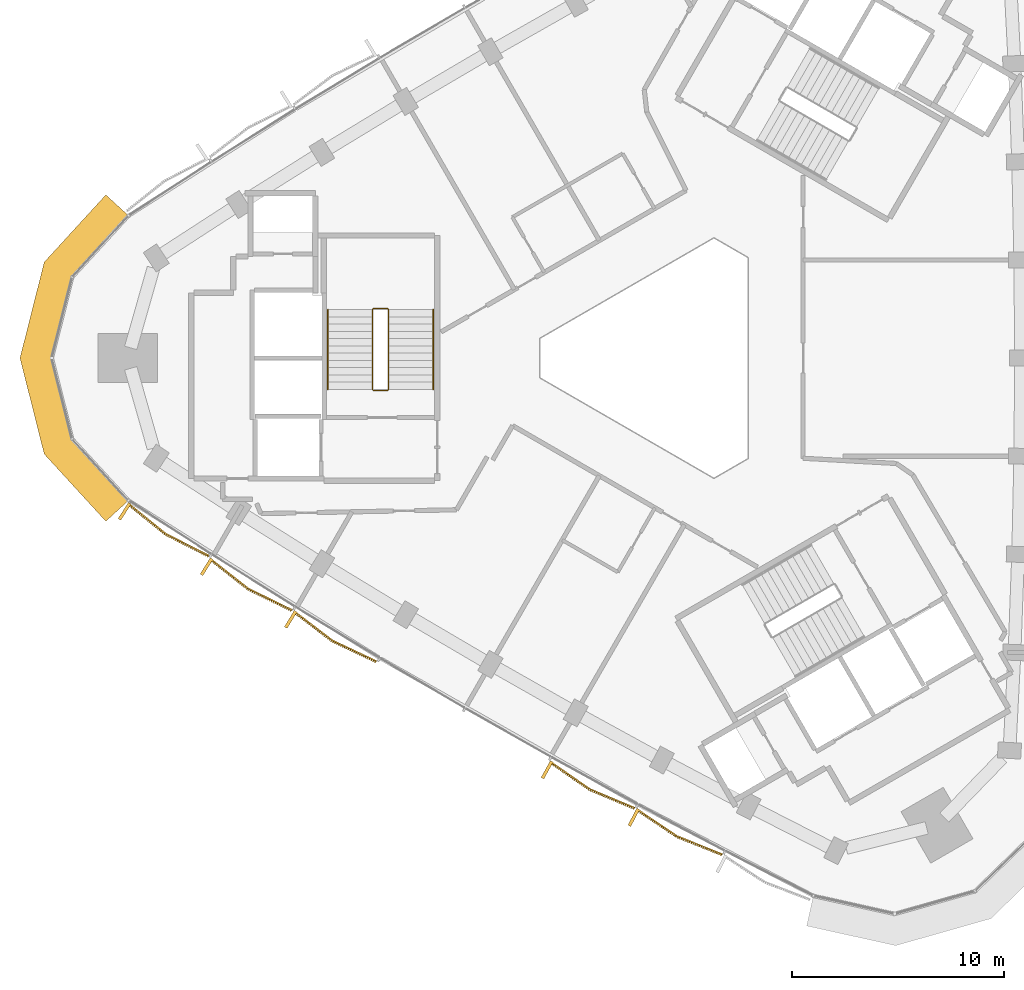
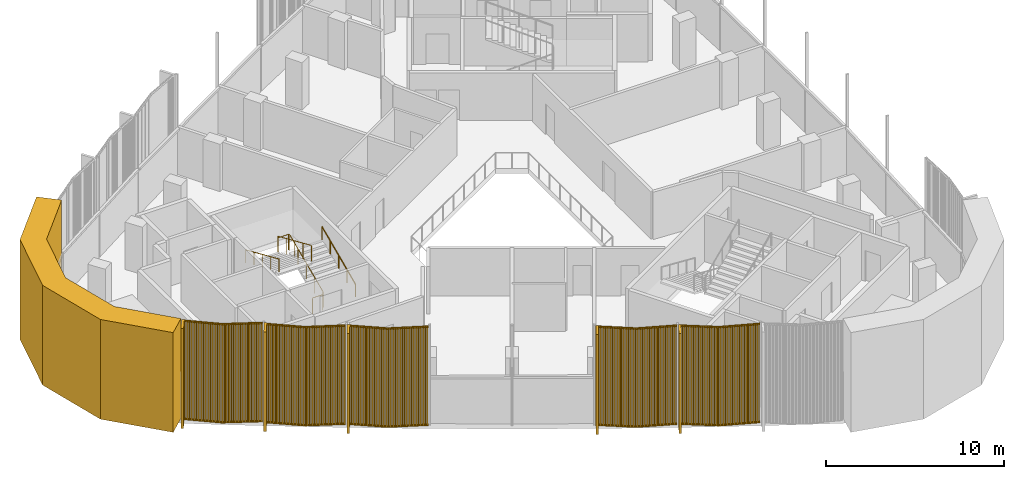
# One storey, part 12 of 16: 6 coverings, 3 railings.
"""IFC4 building model written with IfcOpenShell, lengths in metres."""

from ifc_helpers import new_model, si_unit, direction, frame, frame_2d, origin, origin_2d, place, context, subcontext, project, spatial, polyline, rectangle, circle, outline, extrude, source, transform, mapped, material, layer, layer_set, type_object, element, save


model = new_model("IFC4")

# Units and contexts
model_context = context("Model", 3, precision=1e-05, world=origin(), true_north=direction((0.0, 1.0)))
body_context = subcontext(model_context, "Body", "Model", "MODEL_VIEW")
ifc_project = project(units=[si_unit("LENGTHUNIT", "METRE"), si_unit("AREAUNIT", "SQUARE_METRE"), si_unit("VOLUMEUNIT", "CUBIC_METRE"), si_unit("PLANEANGLEUNIT", "RADIAN"), si_unit("MASSUNIT", "GRAM", prefix="KILO")], contexts=[model_context])

# Site, building, storey
site_placement = place(None, origin())
site = spatial("IfcSite", under=ifc_project, at=site_placement, CompositionType="ELEMENT")
building_placement = place(site_placement, origin())
building = spatial("IfcBuilding", under=site, at=building_placement, Name="Tamra Quay Hotel Tower", CompositionType="ELEMENT")
storey_placement = place(building_placement, frame((0.0, 0.0, 243.0)))
storey = spatial("IfcBuildingStorey", under=building, at=storey_placement, Name="L61", CompositionType="ELEMENT", Elevation=243.0)

# Covering
ifc_material_1 = material(Name="Precast concrete M60 terracotta-coloured", Category="masonry")
ifc_layer = layer(ifc_material_1, 1.449951171875)
ifc_layer_set = layer_set([ifc_layer], Name="CORNER PIER PANEL")
covering_type_1 = type_object("IfcCoveringType", Name="CORNER PIER PANEL", PredefinedType="CLADDING", material=ifc_layer_set)
covering_placement = place(storey_placement, origin())
element("IfcCovering", 1, at=covering_placement, inside=storey, type_object=covering_type_1, Name="Corner pier L61.north-west", PredefinedType="CLADDING", context=body_context, shape_type="SweptSolid", body=[
    extrude(outline(polyline([(-25.387939453125, 6.712646484375), (-26.457275390625, 7.69189453125), (-29.3603515625, 4.5224609375), (-30.501708984375, 0.0), (-29.3603515625, -4.5224609375), (-26.457275390625, -7.69189453125), (-25.387939453125, -6.712646484375), (-28.0439453125, -3.812744140625), (-29.006103515625, 0.0), (-28.0439453125, 3.812744140625), (-25.387939453125, 6.712646484375)])), origin(), (0.0, 0.0, 1.0), 6.85009765625),
])

# Railings
ifc_material_2 = material(Name="Stair guard 1100")
railing_type_1 = type_object("IfcRailingType", Name="Stair guard 1100", PredefinedType="GUARDRAIL", material=ifc_material_2)
railing_1_placement = place(storey_placement, frame((-13.84130859375, -1.530029296875, 0.0)))
element("IfcRailing", 2, at=railing_1_placement, inside=storey, type_object=railing_type_1, Name="GR", PredefinedType="GUARDRAIL", context=body_context, shape_type="SweptSolid", body=[
    extrude(circle(Radius=0.02392578125, at=origin_2d()), frame((0.0, 0.0, 1.076171875), z_axis=(1.0, 0.0, 0.0), x_axis=(0.0, 1.0, 0.0)), (0.0, 0.0, 1.0), 0.658935546875),
    extrude(circle(Radius=0.02392578125, at=origin_2d()), frame((0.658935546875, 0.0, 1.076171875), z_axis=(0.301912943143, 0.301912943143, 0.904266083366), x_axis=(-0.707106781187, 0.707106781187, 0.0)), (0.0, 0.0, 1.0), 0.165771484375),
    extrude(circle(Radius=0.02392578125, at=origin_2d()), frame((0.708984375, 0.050048828125, 1.22607421875), z_axis=(0.0, 0.915773634228, 0.401694723457), x_axis=(-1.0, 0.0, 0.0)), (0.0, 0.0, 1.0), 4.10791015625),
    extrude(circle(Radius=0.02392578125, at=origin_2d()), frame((0.708984375, 3.81201171875, 2.8759765625), z_axis=(-0.708833529934, 0.705375805398, 0.0), x_axis=(-0.705375805398, -0.708833529934, 0.0)), (0.0, 0.0, 1.0), 0.070556640625),
    extrude(circle(Radius=0.02392578125, at=origin_2d()), frame((0.658935546875, 3.86181640625, 2.8759765625), z_axis=(-1.0, 0.0, 0.0), x_axis=(0.0, -1.0, 0.0)), (0.0, 0.0, 1.0), 0.658935546875),
    extrude(circle(Radius=0.02392578125, at=origin_2d()), frame((0.0, 3.86181640625, 2.8759765625), z_axis=(-0.302046947789, -0.300573548044, 0.904667443621), x_axis=(0.705375805398, -0.708833529934, 0.0)), (0.0, 0.0, 1.0), 0.165771484375),
    extrude(circle(Radius=0.02392578125, at=origin_2d()), frame((-0.050048828125, 3.81201171875, 3.02587890625), z_axis=(0.0, -0.915773634228, 0.401694723457), x_axis=(1.0, 0.0, 0.0)), (0.0, 0.0, 1.0), 4.10791015625),
    extrude(circle(Radius=0.02099609375, at=origin_2d()), origin(), (0.0, 0.0, 1.0), 1.052001953125),
    extrude(circle(Radius=0.02099609375, at=origin_2d()), frame((0.658935546875, 0.0, 0.0)), (0.0, 0.0, 1.0), 1.052001953125),
    extrude(circle(Radius=0.02099609375, at=origin_2d()), frame((0.708984375, 0.050048828125, 0.14990234375)), (0.0, 0.0, 1.0), 1.052001953125),
    extrude(circle(Radius=0.02099609375, at=origin_2d()), frame((0.708984375, 0.990478515625, 0.5625)), (0.0, 0.0, 1.0), 1.052001953125),
    extrude(circle(Radius=0.02099609375, at=origin_2d()), frame((0.708984375, 1.93115234375, 0.97509765625)), (0.0, 0.0, 1.0), 1.052001953125),
    extrude(circle(Radius=0.02099609375, at=origin_2d()), frame((0.708984375, 2.87158203125, 1.387451171875)), (0.0, 0.0, 1.0), 1.052001953125),
    extrude(circle(Radius=0.02099609375, at=origin_2d()), frame((0.708984375, 3.81201171875, 1.800048828125)), (0.0, 0.0, 1.0), 1.052001953125),
    extrude(circle(Radius=0.02099609375, at=origin_2d()), frame((0.658935546875, 3.86181640625, 1.800048828125)), (0.0, 0.0, 1.0), 1.052001953125),
    extrude(circle(Radius=0.02099609375, at=origin_2d()), frame((0.0, 3.86181640625, 1.800048828125)), (0.0, 0.0, 1.0), 1.052001953125),
    extrude(circle(Radius=0.02099609375, at=origin_2d()), frame((-0.050048828125, 3.81201171875, 1.949951171875)), (0.0, 0.0, 1.0), 1.052001953125),
    extrude(circle(Radius=0.02099609375, at=origin_2d()), frame((-0.050048828125, 2.87158203125, 2.362548828125)), (0.0, 0.0, 1.0), 1.052001953125),
    extrude(circle(Radius=0.02099609375, at=origin_2d()), frame((-0.050048828125, 1.93115234375, 2.77490234375)), (0.0, 0.0, 1.0), 1.052001953125),
    extrude(circle(Radius=0.02099609375, at=origin_2d()), frame((-0.050048828125, 0.990478515625, 3.1875)), (0.0, 0.0, 1.0), 1.052001953125),
    extrude(circle(Radius=0.02099609375, at=origin_2d()), frame((-0.050048828125, 0.050048828125, 3.60009765625)), (0.0, 0.0, 1.0), 1.052001953125),
])
ifc_material_3 = material(Name="Stair handrail 900")
railing_type_2 = type_object("IfcRailingType", Name="Stair handrail 900", PredefinedType="HANDRAIL", material=ifc_material_3)
railing_2_placement = place(storey_placement, frame((-11.0322265625, -1.47998046875, 0.14990234375)))
element("IfcRailing", 3, at=railing_2_placement, inside=storey, type_object=railing_type_2, Name="HR", PredefinedType="HANDRAIL", context=body_context, shape_type="SweptSolid", body=[
    extrude(circle(Radius=0.02392578125, at=origin_2d()), frame((0.0, 0.0, 0.8759765625), z_axis=(0.0, 0.915773634228, 0.401694723457), x_axis=(-1.0, 0.0, 0.0)), (0.0, 0.0, 1.0), 4.10791015625),
    extrude(circle(Radius=0.02099609375, at=origin_2d()), origin(), (0.0, 0.0, 1.0), 0.851806640625),
    extrude(circle(Radius=0.02099609375, at=origin_2d()), frame((0.0, 0.9404296875, 0.41259765625)), (0.0, 0.0, 1.0), 0.851806640625),
    extrude(circle(Radius=0.02099609375, at=origin_2d()), frame((0.0, 1.880859375, 0.8251953125)), (0.0, 0.0, 1.0), 0.851806640625),
    extrude(circle(Radius=0.02099609375, at=origin_2d()), frame((0.0, 2.821533203125, 1.237548828125)), (0.0, 0.0, 1.0), 0.851806640625),
    extrude(circle(Radius=0.02099609375, at=origin_2d()), frame((0.0, 3.761962890625, 1.650146484375)), (0.0, 0.0, 1.0), 0.851806640625),
])
railing_3_placement = place(storey_placement, frame((-15.9912109375, 2.281982421875, 1.949951171875)))
element("IfcRailing", 4, at=railing_3_placement, inside=storey, type_object=railing_type_2, Name="HR", PredefinedType="HANDRAIL", context=body_context, shape_type="SweptSolid", body=[
    extrude(circle(Radius=0.02392578125, at=origin_2d()), frame((0.0, 0.0, 0.8759765625), z_axis=(0.0, -0.915773634228, 0.401694723457), x_axis=(1.0, 0.0, 0.0)), (0.0, 0.0, 1.0), 4.10791015625),
    extrude(circle(Radius=0.02099609375, at=origin_2d()), origin(), (0.0, 0.0, 1.0), 0.851806640625),
    extrude(circle(Radius=0.02099609375, at=origin_2d()), frame((0.0, -0.9404296875, 0.41259765625)), (0.0, 0.0, 1.0), 0.851806640625),
    extrude(circle(Radius=0.02099609375, at=origin_2d()), frame((0.0, -1.880859375, 0.8251953125)), (0.0, 0.0, 1.0), 0.851806640625),
    extrude(circle(Radius=0.02099609375, at=origin_2d()), frame((0.0, -2.821533203125, 1.237548828125)), (0.0, 0.0, 1.0), 0.851806640625),
    extrude(circle(Radius=0.02099609375, at=origin_2d()), frame((0.0, -3.761962890625, 1.650146484375)), (0.0, 0.0, 1.0), 0.851806640625),
])

# Coverings
ifc_material_4 = material(Name="Terracotta baguette extruded", Category="masonry")
covering_type_2 = type_object("IfcCoveringType", Name="BAGUETTE SCREEN SW-V H6850", PredefinedType="USERDEFINED", material=ifc_material_4)
shared_shape_1 = source(origin(), body_context, "Body", "SweptSolid", [
    extrude(rectangle(XDim=2.295166015625, YDim=0.06005859375, at=frame_2d((1.1474609375, 0.030029296875))), frame((-2.288818359375, -0.0576171875, -0.1201171875), z_axis=(0.0, 0.0, 1.0), x_axis=(0.994521895368, -0.104528463268, 0.0)), (0.0, 0.0, 1.0), 0.1201171875),
    extrude(rectangle(XDim=2.295166015625, YDim=0.06005859375, at=frame_2d((1.1474609375, 0.030029296875))), frame((-2.288818359375, -0.0576171875, -6.85009765625), z_axis=(0.0, 0.0, 1.0), x_axis=(0.994521895368, -0.104528463268, 0.0)), (0.0, 0.0, 1.0), 0.1201171875),
    extrude(rectangle(XDim=0.070068359375, YDim=0.10009765625, at=frame_2d((0.03515625, 0.050048828125))), frame((-2.267822265625, -0.13330078125, -6.7900390625)), (0.0, 0.0, 1.0), 6.72998046875),
    extrude(rectangle(XDim=0.070068359375, YDim=0.10009765625, at=frame_2d((0.03515625, 0.050048828125))), frame((-2.168701171875, -0.1435546875, -6.7900390625)), (0.0, 0.0, 1.0), 6.72998046875),
    extrude(rectangle(XDim=0.070068359375, YDim=0.10009765625, at=frame_2d((0.03515625, 0.050048828125))), frame((-2.0693359375, -0.154052734375, -6.7900390625)), (0.0, 0.0, 1.0), 6.72998046875),
    extrude(rectangle(XDim=0.070068359375, YDim=0.10009765625, at=frame_2d((0.03515625, 0.050048828125))), frame((-1.97021484375, -0.16455078125, -6.7900390625)), (0.0, 0.0, 1.0), 6.72998046875),
    extrude(rectangle(XDim=0.070068359375, YDim=0.10009765625, at=frame_2d((0.03515625, 0.050048828125))), frame((-1.870849609375, -0.175048828125, -6.7900390625)), (0.0, 0.0, 1.0), 6.72998046875),
    extrude(rectangle(XDim=0.070068359375, YDim=0.10009765625, at=frame_2d((0.03515625, 0.050048828125))), frame((-1.771728515625, -0.185302734375, -6.7900390625)), (0.0, 0.0, 1.0), 6.72998046875),
    extrude(rectangle(XDim=0.070068359375, YDim=0.10009765625, at=frame_2d((0.03515625, 0.050048828125))), frame((-1.67236328125, -0.19580078125, -6.7900390625)), (0.0, 0.0, 1.0), 6.72998046875),
    extrude(rectangle(XDim=0.070068359375, YDim=0.10009765625, at=frame_2d((0.03515625, 0.050048828125))), frame((-1.5732421875, -0.206298828125, -6.7900390625)), (0.0, 0.0, 1.0), 6.72998046875),
    extrude(rectangle(XDim=0.070068359375, YDim=0.10009765625, at=frame_2d((0.03515625, 0.050048828125))), frame((-1.473876953125, -0.216552734375, -6.7900390625)), (0.0, 0.0, 1.0), 6.72998046875),
    extrude(rectangle(XDim=0.070068359375, YDim=0.10009765625, at=frame_2d((0.03515625, 0.050048828125))), frame((-1.374755859375, -0.22705078125, -6.7900390625)), (0.0, 0.0, 1.0), 6.72998046875),
    extrude(rectangle(XDim=0.070068359375, YDim=0.10009765625, at=frame_2d((0.03515625, 0.050048828125))), frame((-1.275390625, -0.237548828125, -6.7900390625)), (0.0, 0.0, 1.0), 6.72998046875),
    extrude(rectangle(XDim=0.070068359375, YDim=0.10009765625, at=frame_2d((0.03515625, 0.050048828125))), frame((-1.17626953125, -0.248046875, -6.7900390625)), (0.0, 0.0, 1.0), 6.72998046875),
    extrude(rectangle(XDim=0.070068359375, YDim=0.10009765625, at=frame_2d((0.03515625, 0.050048828125))), frame((-1.076904296875, -0.25830078125, -6.7900390625)), (0.0, 0.0, 1.0), 6.72998046875),
    extrude(rectangle(XDim=0.070068359375, YDim=0.10009765625, at=frame_2d((0.03515625, 0.050048828125))), frame((-0.977783203125, -0.268798828125, -6.7900390625)), (0.0, 0.0, 1.0), 6.72998046875),
    extrude(rectangle(XDim=0.070068359375, YDim=0.10009765625, at=frame_2d((0.03515625, 0.050048828125))), frame((-0.87841796875, -0.279296875, -6.7900390625)), (0.0, 0.0, 1.0), 6.72998046875),
    extrude(rectangle(XDim=0.070068359375, YDim=0.10009765625, at=frame_2d((0.03515625, 0.050048828125))), frame((-0.779296875, -0.28955078125, -6.7900390625)), (0.0, 0.0, 1.0), 6.72998046875),
    extrude(rectangle(XDim=0.070068359375, YDim=0.10009765625, at=frame_2d((0.03515625, 0.050048828125))), frame((-0.679931640625, -0.300048828125, -6.7900390625)), (0.0, 0.0, 1.0), 6.72998046875),
    extrude(rectangle(XDim=0.070068359375, YDim=0.10009765625, at=frame_2d((0.03515625, 0.050048828125))), frame((-0.580810546875, -0.310546875, -6.7900390625)), (0.0, 0.0, 1.0), 6.72998046875),
    extrude(rectangle(XDim=0.070068359375, YDim=0.10009765625, at=frame_2d((0.03515625, 0.050048828125))), frame((-0.481689453125, -0.321044921875, -6.7900390625)), (0.0, 0.0, 1.0), 6.72998046875),
    extrude(rectangle(XDim=0.070068359375, YDim=0.10009765625, at=frame_2d((0.03515625, 0.050048828125))), frame((-0.38232421875, -0.331298828125, -6.7900390625)), (0.0, 0.0, 1.0), 6.72998046875),
    extrude(rectangle(XDim=0.070068359375, YDim=0.10009765625, at=frame_2d((0.03515625, 0.050048828125))), frame((-0.283203125, -0.341796875, -6.7900390625)), (0.0, 0.0, 1.0), 6.72998046875),
    extrude(rectangle(XDim=0.070068359375, YDim=0.10009765625, at=frame_2d((0.03515625, 0.050048828125))), frame((-0.183837890625, -0.352294921875, -6.7900390625)), (0.0, 0.0, 1.0), 6.72998046875),
    extrude(rectangle(XDim=0.070068359375, YDim=0.10009765625, at=frame_2d((0.03515625, 0.050048828125))), frame((-0.084716796875, -0.36279296875, -6.7900390625)), (0.0, 0.0, 1.0), 6.72998046875),
    extrude(rectangle(XDim=2.295166015625, YDim=0.06005859375, at=frame_2d((1.1474609375, 0.030029296875))), frame((0.00634765625, -0.297607421875, -0.1201171875), z_axis=(0.0, 0.0, 1.0), x_axis=(0.994521895368, 0.104528463268, 0.0)), (0.0, 0.0, 1.0), 0.1201171875),
    extrude(rectangle(XDim=2.295166015625, YDim=0.06005859375, at=frame_2d((1.1474609375, 0.030029296875))), frame((0.00634765625, -0.297607421875, -6.85009765625), z_axis=(0.0, 0.0, 1.0), x_axis=(0.994521895368, 0.104528463268, 0.0)), (0.0, 0.0, 1.0), 0.1201171875),
    extrude(rectangle(XDim=0.070068359375, YDim=0.10009765625, at=frame_2d((0.03515625, 0.050048828125))), frame((0.0146484375, -0.36279296875, -6.7900390625)), (0.0, 0.0, 1.0), 6.72998046875),
    extrude(rectangle(XDim=0.070068359375, YDim=0.10009765625, at=frame_2d((0.03515625, 0.050048828125))), frame((0.11376953125, -0.352294921875, -6.7900390625)), (0.0, 0.0, 1.0), 6.72998046875),
    extrude(rectangle(XDim=0.070068359375, YDim=0.10009765625, at=frame_2d((0.03515625, 0.050048828125))), frame((0.213134765625, -0.341796875, -6.7900390625)), (0.0, 0.0, 1.0), 6.72998046875),
    extrude(rectangle(XDim=0.070068359375, YDim=0.10009765625, at=frame_2d((0.03515625, 0.050048828125))), frame((0.312255859375, -0.331298828125, -6.7900390625)), (0.0, 0.0, 1.0), 6.72998046875),
    extrude(rectangle(XDim=0.070068359375, YDim=0.10009765625, at=frame_2d((0.03515625, 0.050048828125))), frame((0.41162109375, -0.321044921875, -6.7900390625)), (0.0, 0.0, 1.0), 6.72998046875),
    extrude(rectangle(XDim=0.070068359375, YDim=0.10009765625, at=frame_2d((0.03515625, 0.050048828125))), frame((0.5107421875, -0.310546875, -6.7900390625)), (0.0, 0.0, 1.0), 6.72998046875),
    extrude(rectangle(XDim=0.070068359375, YDim=0.10009765625, at=frame_2d((0.03515625, 0.050048828125))), frame((0.610107421875, -0.300048828125, -6.7900390625)), (0.0, 0.0, 1.0), 6.72998046875),
    extrude(rectangle(XDim=0.070068359375, YDim=0.10009765625, at=frame_2d((0.03515625, 0.050048828125))), frame((0.709228515625, -0.28955078125, -6.7900390625)), (0.0, 0.0, 1.0), 6.72998046875),
    extrude(rectangle(XDim=0.070068359375, YDim=0.10009765625, at=frame_2d((0.03515625, 0.050048828125))), frame((0.80859375, -0.279296875, -6.7900390625)), (0.0, 0.0, 1.0), 6.72998046875),
    extrude(rectangle(XDim=0.070068359375, YDim=0.10009765625, at=frame_2d((0.03515625, 0.050048828125))), frame((0.90771484375, -0.268798828125, -6.7900390625)), (0.0, 0.0, 1.0), 6.72998046875),
    extrude(rectangle(XDim=0.070068359375, YDim=0.10009765625, at=frame_2d((0.03515625, 0.050048828125))), frame((1.007080078125, -0.25830078125, -6.7900390625)), (0.0, 0.0, 1.0), 6.72998046875),
    extrude(rectangle(XDim=0.070068359375, YDim=0.10009765625, at=frame_2d((0.03515625, 0.050048828125))), frame((1.106201171875, -0.248046875, -6.7900390625)), (0.0, 0.0, 1.0), 6.72998046875),
    extrude(rectangle(XDim=0.070068359375, YDim=0.10009765625, at=frame_2d((0.03515625, 0.050048828125))), frame((1.20556640625, -0.237548828125, -6.7900390625)), (0.0, 0.0, 1.0), 6.72998046875),
    extrude(rectangle(XDim=0.070068359375, YDim=0.10009765625, at=frame_2d((0.03515625, 0.050048828125))), frame((1.3046875, -0.22705078125, -6.7900390625)), (0.0, 0.0, 1.0), 6.72998046875),
    extrude(rectangle(XDim=0.070068359375, YDim=0.10009765625, at=frame_2d((0.03515625, 0.050048828125))), frame((1.404052734375, -0.216552734375, -6.7900390625)), (0.0, 0.0, 1.0), 6.72998046875),
    extrude(rectangle(XDim=0.070068359375, YDim=0.10009765625, at=frame_2d((0.03515625, 0.050048828125))), frame((1.503173828125, -0.206298828125, -6.7900390625)), (0.0, 0.0, 1.0), 6.72998046875),
    extrude(rectangle(XDim=0.070068359375, YDim=0.10009765625, at=frame_2d((0.03515625, 0.050048828125))), frame((1.6025390625, -0.19580078125, -6.7900390625)), (0.0, 0.0, 1.0), 6.72998046875),
    extrude(rectangle(XDim=0.070068359375, YDim=0.10009765625, at=frame_2d((0.03515625, 0.050048828125))), frame((1.70166015625, -0.185302734375, -6.7900390625)), (0.0, 0.0, 1.0), 6.72998046875),
    extrude(rectangle(XDim=0.070068359375, YDim=0.10009765625, at=frame_2d((0.03515625, 0.050048828125))), frame((1.801025390625, -0.175048828125, -6.7900390625)), (0.0, 0.0, 1.0), 6.72998046875),
    extrude(rectangle(XDim=0.070068359375, YDim=0.10009765625, at=frame_2d((0.03515625, 0.050048828125))), frame((1.900146484375, -0.16455078125, -6.7900390625)), (0.0, 0.0, 1.0), 6.72998046875),
    extrude(rectangle(XDim=0.070068359375, YDim=0.10009765625, at=frame_2d((0.03515625, 0.050048828125))), frame((1.99951171875, -0.154052734375, -6.7900390625)), (0.0, 0.0, 1.0), 6.72998046875),
    extrude(rectangle(XDim=0.070068359375, YDim=0.10009765625, at=frame_2d((0.03515625, 0.050048828125))), frame((2.0986328125, -0.1435546875, -6.7900390625)), (0.0, 0.0, 1.0), 6.72998046875),
    extrude(rectangle(XDim=0.070068359375, YDim=0.10009765625, at=frame_2d((0.03515625, 0.050048828125))), frame((2.197998046875, -0.13330078125, -6.7900390625)), (0.0, 0.0, 1.0), 6.72998046875),
    extrude(rectangle(XDim=0.14990234375, YDim=0.902099609375, at=frame_2d((0.074951171875, 0.451171875))), frame((-2.282470703125, -0.89990234375, -6.85009765625)), (0.0, 0.0, 1.0), 6.85009765625),
])
for number, where, z_axis, x_axis, name in (
    (5, (-23.477783203125, -8.04931640625, 6.85009765625), (0.0, 0.0, 1.0), (0.839179103518, -0.54385515739, 0.0), "Baguette screen L61.SW.f00"),
    (6, (-15.625244140625, -13.07666015625, 6.85009765625), (0.0, 0.0, 1.0), (0.854783246382, -0.518985165207, 0.0), "Baguette screen L61.SW.f02"),
    (7, (-3.51220703125, -20.0703125, 6.85009765625), (0.0, 0.0, 1.0), (0.876845960448, -0.480771423492, 0.0), "Baguette screen L61.SW.f05"),
):
    element("IfcCovering", number, at=place(storey_placement, frame(where, z_axis=z_axis, x_axis=x_axis)), inside=storey, type_object=covering_type_2, Name=name, ObjectType="BAGUETTE SCREEN", PredefinedType="USERDEFINED", context=body_context, shape_type="MappedRepresentation", body=[
        mapped(shared_shape_1, transform((0.0, 0.0, 0.0), scale=1.0)),
    ])
shared_shape_2 = source(origin(), body_context, "Body", "SweptSolid", [
    extrude(rectangle(XDim=2.30517578125, YDim=0.06005859375, at=frame_2d((1.152587890625, 0.030029296875))), frame((-2.298828125, -0.0576171875, -0.1201171875), z_axis=(0.0, 0.0, 1.0), x_axis=(0.994521895368, -0.104528463268, 0.0)), (0.0, 0.0, 1.0), 0.1201171875),
    extrude(rectangle(XDim=2.30517578125, YDim=0.06005859375, at=frame_2d((1.152587890625, 0.030029296875))), frame((-2.298828125, -0.0576171875, -6.85009765625), z_axis=(0.0, 0.0, 1.0), x_axis=(0.994521895368, -0.104528463268, 0.0)), (0.0, 0.0, 1.0), 0.1201171875),
    extrude(rectangle(XDim=0.070068359375, YDim=0.10009765625, at=frame_2d((0.03515625, 0.050048828125))), frame((-2.277587890625, -0.13330078125, -6.7900390625)), (0.0, 0.0, 1.0), 6.72998046875),
    extrude(rectangle(XDim=0.070068359375, YDim=0.10009765625, at=frame_2d((0.03515625, 0.050048828125))), frame((-2.177978515625, -0.143798828125, -6.7900390625)), (0.0, 0.0, 1.0), 6.72998046875),
    extrude(rectangle(XDim=0.070068359375, YDim=0.10009765625, at=frame_2d((0.03515625, 0.050048828125))), frame((-2.078369140625, -0.154296875, -6.7900390625)), (0.0, 0.0, 1.0), 6.72998046875),
    extrude(rectangle(XDim=0.070068359375, YDim=0.10009765625, at=frame_2d((0.03515625, 0.050048828125))), frame((-1.978759765625, -0.16455078125, -6.7900390625)), (0.0, 0.0, 1.0), 6.72998046875),
    extrude(rectangle(XDim=0.070068359375, YDim=0.10009765625, at=frame_2d((0.03515625, 0.050048828125))), frame((-1.87890625, -0.175048828125, -6.7900390625)), (0.0, 0.0, 1.0), 6.72998046875),
    extrude(rectangle(XDim=0.070068359375, YDim=0.10009765625, at=frame_2d((0.03515625, 0.050048828125))), frame((-1.779296875, -0.185546875, -6.7900390625)), (0.0, 0.0, 1.0), 6.72998046875),
    extrude(rectangle(XDim=0.070068359375, YDim=0.10009765625, at=frame_2d((0.03515625, 0.050048828125))), frame((-1.6796875, -0.196044921875, -6.7900390625)), (0.0, 0.0, 1.0), 6.72998046875),
    extrude(rectangle(XDim=0.070068359375, YDim=0.10009765625, at=frame_2d((0.03515625, 0.050048828125))), frame((-1.579833984375, -0.20654296875, -6.7900390625)), (0.0, 0.0, 1.0), 6.72998046875),
    extrude(rectangle(XDim=0.070068359375, YDim=0.10009765625, at=frame_2d((0.03515625, 0.050048828125))), frame((-1.480224609375, -0.217041015625, -6.7900390625)), (0.0, 0.0, 1.0), 6.72998046875),
    extrude(rectangle(XDim=0.070068359375, YDim=0.10009765625, at=frame_2d((0.03515625, 0.050048828125))), frame((-1.380615234375, -0.2275390625, -6.7900390625)), (0.0, 0.0, 1.0), 6.72998046875),
    extrude(rectangle(XDim=0.070068359375, YDim=0.10009765625, at=frame_2d((0.03515625, 0.050048828125))), frame((-1.281005859375, -0.238037109375, -6.7900390625)), (0.0, 0.0, 1.0), 6.72998046875),
    extrude(rectangle(XDim=0.070068359375, YDim=0.10009765625, at=frame_2d((0.03515625, 0.050048828125))), frame((-1.18115234375, -0.24853515625, -6.7900390625)), (0.0, 0.0, 1.0), 6.72998046875),
    extrude(rectangle(XDim=0.070068359375, YDim=0.10009765625, at=frame_2d((0.03515625, 0.050048828125))), frame((-1.08154296875, -0.259033203125, -6.7900390625)), (0.0, 0.0, 1.0), 6.72998046875),
    extrude(rectangle(XDim=0.070068359375, YDim=0.10009765625, at=frame_2d((0.03515625, 0.050048828125))), frame((-0.98193359375, -0.26953125, -6.7900390625)), (0.0, 0.0, 1.0), 6.72998046875),
    extrude(rectangle(XDim=0.070068359375, YDim=0.10009765625, at=frame_2d((0.03515625, 0.050048828125))), frame((-0.88232421875, -0.27978515625, -6.7900390625)), (0.0, 0.0, 1.0), 6.72998046875),
    extrude(rectangle(XDim=0.070068359375, YDim=0.10009765625, at=frame_2d((0.03515625, 0.050048828125))), frame((-0.782470703125, -0.290283203125, -6.7900390625)), (0.0, 0.0, 1.0), 6.72998046875),
    extrude(rectangle(XDim=0.070068359375, YDim=0.10009765625, at=frame_2d((0.03515625, 0.050048828125))), frame((-0.682861328125, -0.30078125, -6.7900390625)), (0.0, 0.0, 1.0), 6.72998046875),
    extrude(rectangle(XDim=0.070068359375, YDim=0.10009765625, at=frame_2d((0.03515625, 0.050048828125))), frame((-0.583251953125, -0.311279296875, -6.7900390625)), (0.0, 0.0, 1.0), 6.72998046875),
    extrude(rectangle(XDim=0.070068359375, YDim=0.10009765625, at=frame_2d((0.03515625, 0.050048828125))), frame((-0.483642578125, -0.32177734375, -6.7900390625)), (0.0, 0.0, 1.0), 6.72998046875),
    extrude(rectangle(XDim=0.070068359375, YDim=0.10009765625, at=frame_2d((0.03515625, 0.050048828125))), frame((-0.3837890625, -0.332275390625, -6.7900390625)), (0.0, 0.0, 1.0), 6.72998046875),
    extrude(rectangle(XDim=0.070068359375, YDim=0.10009765625, at=frame_2d((0.03515625, 0.050048828125))), frame((-0.2841796875, -0.3427734375, -6.7900390625)), (0.0, 0.0, 1.0), 6.72998046875),
    extrude(rectangle(XDim=0.070068359375, YDim=0.10009765625, at=frame_2d((0.03515625, 0.050048828125))), frame((-0.1845703125, -0.353271484375, -6.7900390625)), (0.0, 0.0, 1.0), 6.72998046875),
    extrude(rectangle(XDim=0.070068359375, YDim=0.10009765625, at=frame_2d((0.03515625, 0.050048828125))), frame((-0.0849609375, -0.36376953125, -6.7900390625)), (0.0, 0.0, 1.0), 6.72998046875),
    extrude(rectangle(XDim=2.30517578125, YDim=0.06005859375, at=frame_2d((1.152587890625, 0.030029296875))), frame((0.00634765625, -0.298583984375, -0.1201171875), z_axis=(0.0, 0.0, 1.0), x_axis=(0.994521895368, 0.104528463268, 0.0)), (0.0, 0.0, 1.0), 0.1201171875),
    extrude(rectangle(XDim=2.30517578125, YDim=0.06005859375, at=frame_2d((1.152587890625, 0.030029296875))), frame((0.00634765625, -0.298583984375, -6.85009765625), z_axis=(0.0, 0.0, 1.0), x_axis=(0.994521895368, 0.104528463268, 0.0)), (0.0, 0.0, 1.0), 0.1201171875),
    extrude(rectangle(XDim=0.070068359375, YDim=0.10009765625, at=frame_2d((0.03515625, 0.050048828125))), frame((0.014892578125, -0.36376953125, -6.7900390625)), (0.0, 0.0, 1.0), 6.72998046875),
    extrude(rectangle(XDim=0.070068359375, YDim=0.10009765625, at=frame_2d((0.03515625, 0.050048828125))), frame((0.114501953125, -0.353271484375, -6.7900390625)), (0.0, 0.0, 1.0), 6.72998046875),
    extrude(rectangle(XDim=0.070068359375, YDim=0.10009765625, at=frame_2d((0.03515625, 0.050048828125))), frame((0.214111328125, -0.3427734375, -6.7900390625)), (0.0, 0.0, 1.0), 6.72998046875),
    extrude(rectangle(XDim=0.070068359375, YDim=0.10009765625, at=frame_2d((0.03515625, 0.050048828125))), frame((0.31396484375, -0.332275390625, -6.7900390625)), (0.0, 0.0, 1.0), 6.72998046875),
    extrude(rectangle(XDim=0.070068359375, YDim=0.10009765625, at=frame_2d((0.03515625, 0.050048828125))), frame((0.41357421875, -0.32177734375, -6.7900390625)), (0.0, 0.0, 1.0), 6.72998046875),
    extrude(rectangle(XDim=0.070068359375, YDim=0.10009765625, at=frame_2d((0.03515625, 0.050048828125))), frame((0.51318359375, -0.311279296875, -6.7900390625)), (0.0, 0.0, 1.0), 6.72998046875),
    extrude(rectangle(XDim=0.070068359375, YDim=0.10009765625, at=frame_2d((0.03515625, 0.050048828125))), frame((0.61279296875, -0.30078125, -6.7900390625)), (0.0, 0.0, 1.0), 6.72998046875),
    extrude(rectangle(XDim=0.070068359375, YDim=0.10009765625, at=frame_2d((0.03515625, 0.050048828125))), frame((0.712646484375, -0.290283203125, -6.7900390625)), (0.0, 0.0, 1.0), 6.72998046875),
    extrude(rectangle(XDim=0.070068359375, YDim=0.10009765625, at=frame_2d((0.03515625, 0.050048828125))), frame((0.812255859375, -0.27978515625, -6.7900390625)), (0.0, 0.0, 1.0), 6.72998046875),
    extrude(rectangle(XDim=0.070068359375, YDim=0.10009765625, at=frame_2d((0.03515625, 0.050048828125))), frame((0.911865234375, -0.26953125, -6.7900390625)), (0.0, 0.0, 1.0), 6.72998046875),
    extrude(rectangle(XDim=0.070068359375, YDim=0.10009765625, at=frame_2d((0.03515625, 0.050048828125))), frame((1.011474609375, -0.259033203125, -6.7900390625)), (0.0, 0.0, 1.0), 6.72998046875),
    extrude(rectangle(XDim=0.070068359375, YDim=0.10009765625, at=frame_2d((0.03515625, 0.050048828125))), frame((1.111328125, -0.24853515625, -6.7900390625)), (0.0, 0.0, 1.0), 6.72998046875),
    extrude(rectangle(XDim=0.070068359375, YDim=0.10009765625, at=frame_2d((0.03515625, 0.050048828125))), frame((1.2109375, -0.238037109375, -6.7900390625)), (0.0, 0.0, 1.0), 6.72998046875),
    extrude(rectangle(XDim=0.070068359375, YDim=0.10009765625, at=frame_2d((0.03515625, 0.050048828125))), frame((1.310546875, -0.2275390625, -6.7900390625)), (0.0, 0.0, 1.0), 6.72998046875),
    extrude(rectangle(XDim=0.070068359375, YDim=0.10009765625, at=frame_2d((0.03515625, 0.050048828125))), frame((1.41015625, -0.217041015625, -6.7900390625)), (0.0, 0.0, 1.0), 6.72998046875),
    extrude(rectangle(XDim=0.070068359375, YDim=0.10009765625, at=frame_2d((0.03515625, 0.050048828125))), frame((1.510009765625, -0.20654296875, -6.7900390625)), (0.0, 0.0, 1.0), 6.72998046875),
    extrude(rectangle(XDim=0.070068359375, YDim=0.10009765625, at=frame_2d((0.03515625, 0.050048828125))), frame((1.609619140625, -0.196044921875, -6.7900390625)), (0.0, 0.0, 1.0), 6.72998046875),
    extrude(rectangle(XDim=0.070068359375, YDim=0.10009765625, at=frame_2d((0.03515625, 0.050048828125))), frame((1.709228515625, -0.185546875, -6.7900390625)), (0.0, 0.0, 1.0), 6.72998046875),
    extrude(rectangle(XDim=0.070068359375, YDim=0.10009765625, at=frame_2d((0.03515625, 0.050048828125))), frame((1.80908203125, -0.175048828125, -6.7900390625)), (0.0, 0.0, 1.0), 6.72998046875),
    extrude(rectangle(XDim=0.070068359375, YDim=0.10009765625, at=frame_2d((0.03515625, 0.050048828125))), frame((1.90869140625, -0.16455078125, -6.7900390625)), (0.0, 0.0, 1.0), 6.72998046875),
    extrude(rectangle(XDim=0.070068359375, YDim=0.10009765625, at=frame_2d((0.03515625, 0.050048828125))), frame((2.00830078125, -0.154296875, -6.7900390625)), (0.0, 0.0, 1.0), 6.72998046875),
    extrude(rectangle(XDim=0.070068359375, YDim=0.10009765625, at=frame_2d((0.03515625, 0.050048828125))), frame((2.10791015625, -0.143798828125, -6.7900390625)), (0.0, 0.0, 1.0), 6.72998046875),
    extrude(rectangle(XDim=0.070068359375, YDim=0.10009765625, at=frame_2d((0.03515625, 0.050048828125))), frame((2.207763671875, -0.13330078125, -6.7900390625)), (0.0, 0.0, 1.0), 6.72998046875),
    extrude(rectangle(XDim=0.14990234375, YDim=0.902099609375, at=frame_2d((0.074951171875, 0.451171875))), frame((-2.29248046875, -0.89990234375, -6.85009765625)), (0.0, 0.0, 1.0), 6.85009765625),
])
for number, where, z_axis, x_axis, name in (
    (8, (-19.5927734375, -10.6279296875, 6.85009765625), (0.0, 0.0, 1.0), (0.847068585161, -0.531483595263, 0.0), "Baguette screen L61.SW.f01"),
    (9, (0.59228515625, -22.28173828125, 6.85009765625), (0.0, 0.0, 1.0), (0.883812587773, -0.467841115866, 0.0), "Baguette screen L61.SW.f06"),
):
    element("IfcCovering", number, at=place(storey_placement, frame(where, z_axis=z_axis, x_axis=x_axis)), inside=storey, type_object=covering_type_2, Name=name, ObjectType="BAGUETTE SCREEN", PredefinedType="USERDEFINED", context=body_context, shape_type="MappedRepresentation", body=[
        mapped(shared_shape_2, transform((0.0, 0.0, 0.0), scale=1.0)),
    ])

save(model, "model.ifc")
